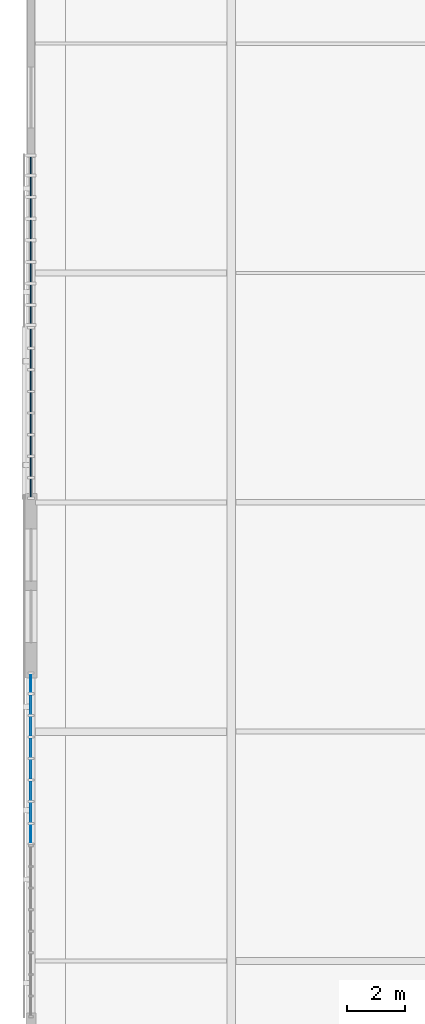
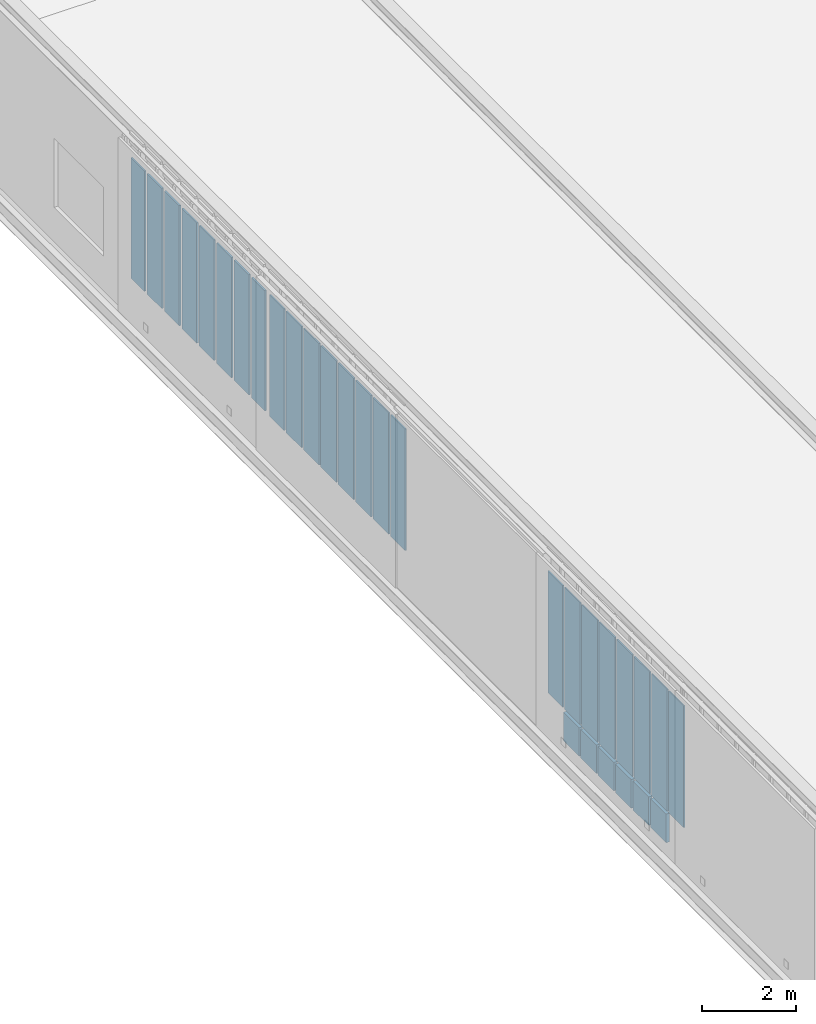
# One storey, part 78 of 135: 30 plates, 3 elements without a shape of their own.
"""IFC4 building model written with IfcOpenShell, lengths in metres."""

from ifc_helpers import new_model, si_unit, direction, frame, origin, origin_2d, place, context, subcontext, project, spatial, rectangle, extrude, material, layer, layer_set, type_object, element, aggregate, save


model = new_model("IFC4")

# Units and contexts
model_context = context("Model", 3, precision=1e-05, world=origin(), true_north=direction((0.0, 1.0)))
body_context = subcontext(model_context, "Body", "Model", "MODEL_VIEW")
ifc_project = project(units=[si_unit("LENGTHUNIT", "METRE"), si_unit("AREAUNIT", "SQUARE_METRE"), si_unit("VOLUMEUNIT", "CUBIC_METRE"), si_unit("PLANEANGLEUNIT", "RADIAN"), si_unit("MASSUNIT", "GRAM", prefix="KILO")], contexts=[model_context])

# Site, building, storey
site_placement = place(None, origin())
site = spatial("IfcSite", under=ifc_project, at=site_placement, CompositionType="ELEMENT")
building_placement = place(site_placement, origin())
building = spatial("IfcBuilding", under=site, at=building_placement, Name="Larkvane Passage Sports Hall", CompositionType="ELEMENT")
storey_placement = place(building_placement, frame((0.0, 0.0, 16.800048828125)))
storey = spatial("IfcBuildingStorey", under=building, at=storey_placement, Name="L03", CompositionType="ELEMENT", Elevation=16.800048828125)

# Curtain wall, plates
ifc_material_1 = material(Name="Thermally broken aluminium and low-E glazing", Category="aluminium")
curtain_wall_type_1 = type_object("IfcCurtainWallType", Name="CW-UNIT-VEIL", PredefinedType="USERDEFINED", material=ifc_material_1)
curtain_wall_1_placement = place(storey_placement, origin())
curtain_wall_1 = element("IfcCurtainWall", 1, at=curtain_wall_1_placement, inside=storey, type_object=curtain_wall_type_1, Name="Curtain wall CW5-L03-133", ObjectType="UNITISED CURTAIN WALL", PredefinedType="USERDEFINED")
ifc_material_2 = material(Name="Mineral-wool insulated spandrel cassette")
ifc_layer_1 = layer(ifc_material_2, 0.0849609375)
ifc_layer_set_1 = layer_set([ifc_layer_1], Name="Mineral-wool insulated spandrel cassette")
plate_type_1 = type_object("IfcPlateType", Name="CWP-SPD-85", PredefinedType="CURTAIN_PANEL", material=ifc_layer_set_1)
plate_1_placement = place(storey_placement, frame((0.0, 64.61572265625, 0.06982421875), z_axis=(0.0, 0.0, 1.0), x_axis=(0.0, 1.0, 0.0)))
plate_1 = element("IfcPlate", 2, at=plate_1_placement, type_object=plate_type_1, Name="CW-02 panel 2.1", PredefinedType="CURTAIN_PANEL", context=body_context, shape_type="SweptSolid", body=[
    extrude(rectangle(XDim=0.673828125, YDim=0.0849609375, at=origin_2d()), origin(), (0.0, 0.0, 1.0), 0.7451171875),
])
plate_2_placement = place(storey_placement, frame((0.0, 65.359375, 0.06982421875), z_axis=(0.0, 0.0, 1.0), x_axis=(0.0, 1.0, 0.0)))
plate_2 = element("IfcPlate", 3, at=plate_2_placement, type_object=plate_type_1, Name="CW-02 panel 3.1", PredefinedType="CURTAIN_PANEL", context=body_context, shape_type="SweptSolid", body=[
    extrude(rectangle(XDim=0.673828125, YDim=0.0849609375, at=origin_2d()), origin(), (0.0, 0.0, 1.0), 0.7451171875),
])
plate_3_placement = place(storey_placement, frame((0.0, 66.10302734375, 0.06982421875), z_axis=(0.0, 0.0, 1.0), x_axis=(0.0, 1.0, 0.0)))
plate_3 = element("IfcPlate", 4, at=plate_3_placement, type_object=plate_type_1, Name="CW-02 panel 4.1", PredefinedType="CURTAIN_PANEL", context=body_context, shape_type="SweptSolid", body=[
    extrude(rectangle(XDim=0.673828125, YDim=0.0849609375, at=origin_2d()), origin(), (0.0, 0.0, 1.0), 0.7451171875),
])
plate_4_placement = place(storey_placement, frame((0.0, 66.846923828125, 0.06982421875), z_axis=(0.0, 0.0, 1.0), x_axis=(0.0, 1.0, 0.0)))
plate_4 = element("IfcPlate", 5, at=plate_4_placement, type_object=plate_type_1, Name="CW-02 panel 5.1", PredefinedType="CURTAIN_PANEL", context=body_context, shape_type="SweptSolid", body=[
    extrude(rectangle(XDim=0.673828125, YDim=0.0849609375, at=origin_2d()), origin(), (0.0, 0.0, 1.0), 0.7451171875),
])
plate_5_placement = place(storey_placement, frame((0.0, 67.590576171875, 0.06982421875), z_axis=(0.0, 0.0, 1.0), x_axis=(0.0, 1.0, 0.0)))
plate_5 = element("IfcPlate", 6, at=plate_5_placement, type_object=plate_type_1, Name="CW-02 panel 6.1", PredefinedType="CURTAIN_PANEL", context=body_context, shape_type="SweptSolid", body=[
    extrude(rectangle(XDim=0.673828125, YDim=0.0849609375, at=origin_2d()), origin(), (0.0, 0.0, 1.0), 0.7451171875),
])
plate_6_placement = place(storey_placement, frame((0.0, 68.33447265625, 0.06982421875), z_axis=(0.0, 0.0, 1.0), x_axis=(0.0, 1.0, 0.0)))
plate_6 = element("IfcPlate", 7, at=plate_6_placement, type_object=plate_type_1, Name="CW-02 panel 7.1", PredefinedType="CURTAIN_PANEL", context=body_context, shape_type="SweptSolid", body=[
    extrude(rectangle(XDim=0.673828125, YDim=0.0849609375, at=origin_2d()), origin(), (0.0, 0.0, 1.0), 0.7451171875),
])
ifc_material_3 = material(Name="Laminated acoustic low-E glazing", Category="glass")
ifc_layer_2 = layer(ifc_material_3, 0.031982421875)
ifc_layer_set_2 = layer_set([ifc_layer_2], Name="Laminated acoustic low-E glazing")
plate_type_2 = type_object("IfcPlateType", Name="CWP-VIS-32", PredefinedType="CURTAIN_PANEL", material=ifc_layer_set_2)
plate_7_placement = place(storey_placement, frame((0.0, 63.889404296875, 0.884765625), z_axis=(0.0, 0.0, 1.0), x_axis=(0.0, 1.0, 0.0)))
plate_7 = element("IfcPlate", 8, at=plate_7_placement, type_object=plate_type_2, Name="CW-02 panel 1.2", PredefinedType="CURTAIN_PANEL", context=body_context, shape_type="SweptSolid", body=[
    extrude(rectangle(XDim=0.638671875, YDim=0.031982421875, at=origin_2d()), origin(), (0.0, 0.0, 1.0), 3.177978515625),
])
plate_8_placement = place(storey_placement, frame((0.0, 64.61572265625, 0.884765625), z_axis=(0.0, 0.0, 1.0), x_axis=(0.0, 1.0, 0.0)))
plate_8 = element("IfcPlate", 9, at=plate_8_placement, type_object=plate_type_2, Name="CW-02 panel 2.2", PredefinedType="CURTAIN_PANEL", context=body_context, shape_type="SweptSolid", body=[
    extrude(rectangle(XDim=0.673828125, YDim=0.031982421875, at=origin_2d()), origin(), (0.0, 0.0, 1.0), 3.177978515625),
])
plate_9_placement = place(storey_placement, frame((0.0, 65.359375, 0.884765625), z_axis=(0.0, 0.0, 1.0), x_axis=(0.0, 1.0, 0.0)))
plate_9 = element("IfcPlate", 10, at=plate_9_placement, type_object=plate_type_2, Name="CW-02 panel 3.2", PredefinedType="CURTAIN_PANEL", context=body_context, shape_type="SweptSolid", body=[
    extrude(rectangle(XDim=0.673828125, YDim=0.031982421875, at=origin_2d()), origin(), (0.0, 0.0, 1.0), 3.177978515625),
])
plate_10_placement = place(storey_placement, frame((0.0, 66.10302734375, 0.884765625), z_axis=(0.0, 0.0, 1.0), x_axis=(0.0, 1.0, 0.0)))
plate_10 = element("IfcPlate", 11, at=plate_10_placement, type_object=plate_type_2, Name="CW-02 panel 4.2", PredefinedType="CURTAIN_PANEL", context=body_context, shape_type="SweptSolid", body=[
    extrude(rectangle(XDim=0.673828125, YDim=0.031982421875, at=origin_2d()), origin(), (0.0, 0.0, 1.0), 3.177978515625),
])
plate_11_placement = place(storey_placement, frame((0.0, 66.846923828125, 0.884765625), z_axis=(0.0, 0.0, 1.0), x_axis=(0.0, 1.0, 0.0)))
plate_11 = element("IfcPlate", 12, at=plate_11_placement, type_object=plate_type_2, Name="CW-02 panel 5.2", PredefinedType="CURTAIN_PANEL", context=body_context, shape_type="SweptSolid", body=[
    extrude(rectangle(XDim=0.673828125, YDim=0.031982421875, at=origin_2d()), origin(), (0.0, 0.0, 1.0), 3.177978515625),
])
plate_12_placement = place(storey_placement, frame((0.0, 67.590576171875, 0.884765625), z_axis=(0.0, 0.0, 1.0), x_axis=(0.0, 1.0, 0.0)))
plate_12 = element("IfcPlate", 13, at=plate_12_placement, type_object=plate_type_2, Name="CW-02 panel 6.2", PredefinedType="CURTAIN_PANEL", context=body_context, shape_type="SweptSolid", body=[
    extrude(rectangle(XDim=0.673828125, YDim=0.031982421875, at=origin_2d()), origin(), (0.0, 0.0, 1.0), 3.177978515625),
])
plate_13_placement = place(storey_placement, frame((0.0, 68.33447265625, 0.884765625), z_axis=(0.0, 0.0, 1.0), x_axis=(0.0, 1.0, 0.0)))
plate_13 = element("IfcPlate", 14, at=plate_13_placement, type_object=plate_type_2, Name="CW-02 panel 7.2", PredefinedType="CURTAIN_PANEL", context=body_context, shape_type="SweptSolid", body=[
    extrude(rectangle(XDim=0.673828125, YDim=0.031982421875, at=origin_2d()), origin(), (0.0, 0.0, 1.0), 3.177978515625),
])
plate_14_placement = place(storey_placement, frame((0.0, 69.060546875, 0.884765625), z_axis=(0.0, 0.0, 1.0), x_axis=(0.0, 1.0, 0.0)))
plate_14 = element("IfcPlate", 15, at=plate_14_placement, type_object=plate_type_2, Name="CW-02 panel 8.2", PredefinedType="CURTAIN_PANEL", context=body_context, shape_type="SweptSolid", body=[
    extrude(rectangle(XDim=0.638671875, YDim=0.031982421875, at=origin_2d()), origin(), (0.0, 0.0, 1.0), 3.177978515625),
])
aggregate(curtain_wall_1, [plate_7, plate_1, plate_8, plate_2, plate_9, plate_3, plate_10, plate_4, plate_11, plate_5, plate_12, plate_6, plate_13, plate_14])

curtain_wall_type_2 = type_object("IfcCurtainWallType", Name="CW-STICK-FOYER", PredefinedType="USERDEFINED", material=ifc_material_1)
curtain_wall_2_placement = place(storey_placement, origin())
curtain_wall_2 = element("IfcCurtainWall", 16, at=curtain_wall_2_placement, inside=storey, type_object=curtain_wall_type_2, Name="Curtain wall CW5-L03-134", ObjectType="STICK CURTAIN WALL", PredefinedType="USERDEFINED")
ifc_material_4 = material(Name="High-impact court low-E glazing", Category="glass")
ifc_layer_3 = layer(ifc_material_4, 0.035888671875)
ifc_layer_set_3 = layer_set([ifc_layer_3], Name="High-impact court low-E glazing")
plate_type_3 = type_object("IfcPlateType", Name="CWP-VIS-36", PredefinedType="CURTAIN_PANEL", material=ifc_layer_set_3)
plate_15_placement = place(storey_placement, frame((0.0, 75.7919921875, 0.889892578125), z_axis=(0.0, 0.0, 1.0), x_axis=(0.0, 1.0, 0.0)))
plate_15 = element("IfcPlate", 17, at=plate_15_placement, type_object=plate_type_3, Name="CW-03 panel 1.2", PredefinedType="CURTAIN_PANEL", context=body_context, shape_type="SweptSolid", body=[
    extrude(rectangle(XDim=0.623779296875, YDim=0.035888671875, at=origin_2d()), origin(), (0.0, 0.0, 1.0), 3.16796875),
])
plate_16_placement = place(storey_placement, frame((0.0, 76.515625, 0.889892578125), z_axis=(0.0, 0.0, 1.0), x_axis=(0.0, 1.0, 0.0)))
plate_16 = element("IfcPlate", 18, at=plate_16_placement, type_object=plate_type_3, Name="CW-03 panel 2.2", PredefinedType="CURTAIN_PANEL", context=body_context, shape_type="SweptSolid", body=[
    extrude(rectangle(XDim=0.663818359375, YDim=0.035888671875, at=origin_2d()), origin(), (0.0, 0.0, 1.0), 3.16796875),
])
plate_17_placement = place(storey_placement, frame((0.0, 77.25927734375, 0.889892578125), z_axis=(0.0, 0.0, 1.0), x_axis=(0.0, 1.0, 0.0)))
plate_17 = element("IfcPlate", 19, at=plate_17_placement, type_object=plate_type_3, Name="CW-03 panel 3.2", PredefinedType="CURTAIN_PANEL", context=body_context, shape_type="SweptSolid", body=[
    extrude(rectangle(XDim=0.663818359375, YDim=0.035888671875, at=origin_2d()), origin(), (0.0, 0.0, 1.0), 3.16796875),
])
plate_18_placement = place(storey_placement, frame((0.0, 78.003173828125, 0.889892578125), z_axis=(0.0, 0.0, 1.0), x_axis=(0.0, 1.0, 0.0)))
plate_18 = element("IfcPlate", 20, at=plate_18_placement, type_object=plate_type_3, Name="CW-03 panel 4.2", PredefinedType="CURTAIN_PANEL", context=body_context, shape_type="SweptSolid", body=[
    extrude(rectangle(XDim=0.663818359375, YDim=0.035888671875, at=origin_2d()), origin(), (0.0, 0.0, 1.0), 3.16796875),
])
plate_19_placement = place(storey_placement, frame((0.0, 78.746826171875, 0.889892578125), z_axis=(0.0, 0.0, 1.0), x_axis=(0.0, 1.0, 0.0)))
plate_19 = element("IfcPlate", 21, at=plate_19_placement, type_object=plate_type_3, Name="CW-03 panel 5.2", PredefinedType="CURTAIN_PANEL", context=body_context, shape_type="SweptSolid", body=[
    extrude(rectangle(XDim=0.663818359375, YDim=0.035888671875, at=origin_2d()), origin(), (0.0, 0.0, 1.0), 3.16796875),
])
plate_20_placement = place(storey_placement, frame((0.0, 79.49072265625, 0.889892578125), z_axis=(0.0, 0.0, 1.0), x_axis=(0.0, 1.0, 0.0)))
plate_20 = element("IfcPlate", 22, at=plate_20_placement, type_object=plate_type_3, Name="CW-03 panel 6.2", PredefinedType="CURTAIN_PANEL", context=body_context, shape_type="SweptSolid", body=[
    extrude(rectangle(XDim=0.663818359375, YDim=0.035888671875, at=origin_2d()), origin(), (0.0, 0.0, 1.0), 3.16796875),
])
plate_21_placement = place(storey_placement, frame((0.0, 80.234375, 0.889892578125), z_axis=(0.0, 0.0, 1.0), x_axis=(0.0, 1.0, 0.0)))
plate_21 = element("IfcPlate", 23, at=plate_21_placement, type_object=plate_type_3, Name="CW-03 panel 7.2", PredefinedType="CURTAIN_PANEL", context=body_context, shape_type="SweptSolid", body=[
    extrude(rectangle(XDim=0.663818359375, YDim=0.035888671875, at=origin_2d()), origin(), (0.0, 0.0, 1.0), 3.16796875),
])
plate_22_placement = place(storey_placement, frame((0.0, 80.9580078125, 0.889892578125), z_axis=(0.0, 0.0, 1.0), x_axis=(0.0, 1.0, 0.0)))
plate_22 = element("IfcPlate", 24, at=plate_22_placement, type_object=plate_type_3, Name="CW-03 panel 8.2", PredefinedType="CURTAIN_PANEL", context=body_context, shape_type="SweptSolid", body=[
    extrude(rectangle(XDim=0.623779296875, YDim=0.035888671875, at=origin_2d()), origin(), (0.0, 0.0, 1.0), 3.16796875),
])
aggregate(curtain_wall_2, [plate_15, plate_16, plate_17, plate_18, plate_19, plate_20, plate_21, plate_22])

curtain_wall_type_3 = type_object("IfcCurtainWallType", Name="CW-CLINIC", PredefinedType="USERDEFINED", material=ifc_material_1)
curtain_wall_3_placement = place(storey_placement, origin())
curtain_wall_3 = element("IfcCurtainWall", 25, at=curtain_wall_3_placement, inside=storey, type_object=curtain_wall_type_3, Name="Curtain wall CW5-L03-135", ObjectType="UNITISED CURTAIN WALL", PredefinedType="USERDEFINED")
ifc_material_5 = material(Name="Triple-laminated typhoon glazing", Category="glass")
ifc_layer_4 = layer(ifc_material_5, 0.0419921875)
ifc_layer_set_4 = layer_set([ifc_layer_4], Name="Triple-laminated typhoon glazing")
plate_type_4 = type_object("IfcPlateType", Name="CWP-VIS-42", PredefinedType="CURTAIN_PANEL", material=ifc_layer_set_4)
plate_23_placement = place(storey_placement, frame((0.0, 81.749267578125, 0.90478515625), z_axis=(0.0, 0.0, 1.0), x_axis=(0.0, 1.0, 0.0)))
plate_23 = element("IfcPlate", 26, at=plate_23_placement, type_object=plate_type_4, Name="CW-05 panel 1.2", PredefinedType="CURTAIN_PANEL", context=body_context, shape_type="SweptSolid", body=[
    extrude(rectangle(XDim=0.578857421875, YDim=0.0419921875, at=origin_2d()), origin(), (0.0, 0.0, 1.0), 3.137939453125),
])
plate_24_placement = place(storey_placement, frame((0.0, 82.465576171875, 0.90478515625), z_axis=(0.0, 0.0, 1.0), x_axis=(0.0, 1.0, 0.0)))
plate_24 = element("IfcPlate", 27, at=plate_24_placement, type_object=plate_type_4, Name="CW-05 panel 2.2", PredefinedType="CURTAIN_PANEL", context=body_context, shape_type="SweptSolid", body=[
    extrude(rectangle(XDim=0.6337890625, YDim=0.0419921875, at=origin_2d()), origin(), (0.0, 0.0, 1.0), 3.137939453125),
])
plate_25_placement = place(storey_placement, frame((0.0, 83.20947265625, 0.90478515625), z_axis=(0.0, 0.0, 1.0), x_axis=(0.0, 1.0, 0.0)))
plate_25 = element("IfcPlate", 28, at=plate_25_placement, type_object=plate_type_4, Name="CW-05 panel 3.2", PredefinedType="CURTAIN_PANEL", context=body_context, shape_type="SweptSolid", body=[
    extrude(rectangle(XDim=0.6337890625, YDim=0.0419921875, at=origin_2d()), origin(), (0.0, 0.0, 1.0), 3.137939453125),
])
plate_26_placement = place(storey_placement, frame((0.0, 83.953125, 0.90478515625), z_axis=(0.0, 0.0, 1.0), x_axis=(0.0, 1.0, 0.0)))
plate_26 = element("IfcPlate", 29, at=plate_26_placement, type_object=plate_type_4, Name="CW-05 panel 4.2", PredefinedType="CURTAIN_PANEL", context=body_context, shape_type="SweptSolid", body=[
    extrude(rectangle(XDim=0.6337890625, YDim=0.0419921875, at=origin_2d()), origin(), (0.0, 0.0, 1.0), 3.137939453125),
])
plate_27_placement = place(storey_placement, frame((0.0, 84.69677734375, 0.90478515625), z_axis=(0.0, 0.0, 1.0), x_axis=(0.0, 1.0, 0.0)))
plate_27 = element("IfcPlate", 30, at=plate_27_placement, type_object=plate_type_4, Name="CW-05 panel 5.2", PredefinedType="CURTAIN_PANEL", context=body_context, shape_type="SweptSolid", body=[
    extrude(rectangle(XDim=0.6337890625, YDim=0.0419921875, at=origin_2d()), origin(), (0.0, 0.0, 1.0), 3.137939453125),
])
plate_28_placement = place(storey_placement, frame((0.0, 85.440673828125, 0.90478515625), z_axis=(0.0, 0.0, 1.0), x_axis=(0.0, 1.0, 0.0)))
plate_28 = element("IfcPlate", 31, at=plate_28_placement, type_object=plate_type_4, Name="CW-05 panel 6.2", PredefinedType="CURTAIN_PANEL", context=body_context, shape_type="SweptSolid", body=[
    extrude(rectangle(XDim=0.6337890625, YDim=0.0419921875, at=origin_2d()), origin(), (0.0, 0.0, 1.0), 3.137939453125),
])
plate_29_placement = place(storey_placement, frame((0.0, 86.184326171875, 0.90478515625), z_axis=(0.0, 0.0, 1.0), x_axis=(0.0, 1.0, 0.0)))
plate_29 = element("IfcPlate", 32, at=plate_29_placement, type_object=plate_type_4, Name="CW-05 panel 7.2", PredefinedType="CURTAIN_PANEL", context=body_context, shape_type="SweptSolid", body=[
    extrude(rectangle(XDim=0.6337890625, YDim=0.0419921875, at=origin_2d()), origin(), (0.0, 0.0, 1.0), 3.137939453125),
])
plate_30_placement = place(storey_placement, frame((0.0, 86.900634765625, 0.90478515625), z_axis=(0.0, 0.0, 1.0), x_axis=(0.0, 1.0, 0.0)))
plate_30 = element("IfcPlate", 33, at=plate_30_placement, type_object=plate_type_4, Name="CW-05 panel 8.2", PredefinedType="CURTAIN_PANEL", context=body_context, shape_type="SweptSolid", body=[
    extrude(rectangle(XDim=0.578857421875, YDim=0.0419921875, at=origin_2d()), origin(), (0.0, 0.0, 1.0), 3.137939453125),
])
aggregate(curtain_wall_3, [plate_23, plate_24, plate_25, plate_26, plate_27, plate_28, plate_29, plate_30])

save(model, "model.ifc")
